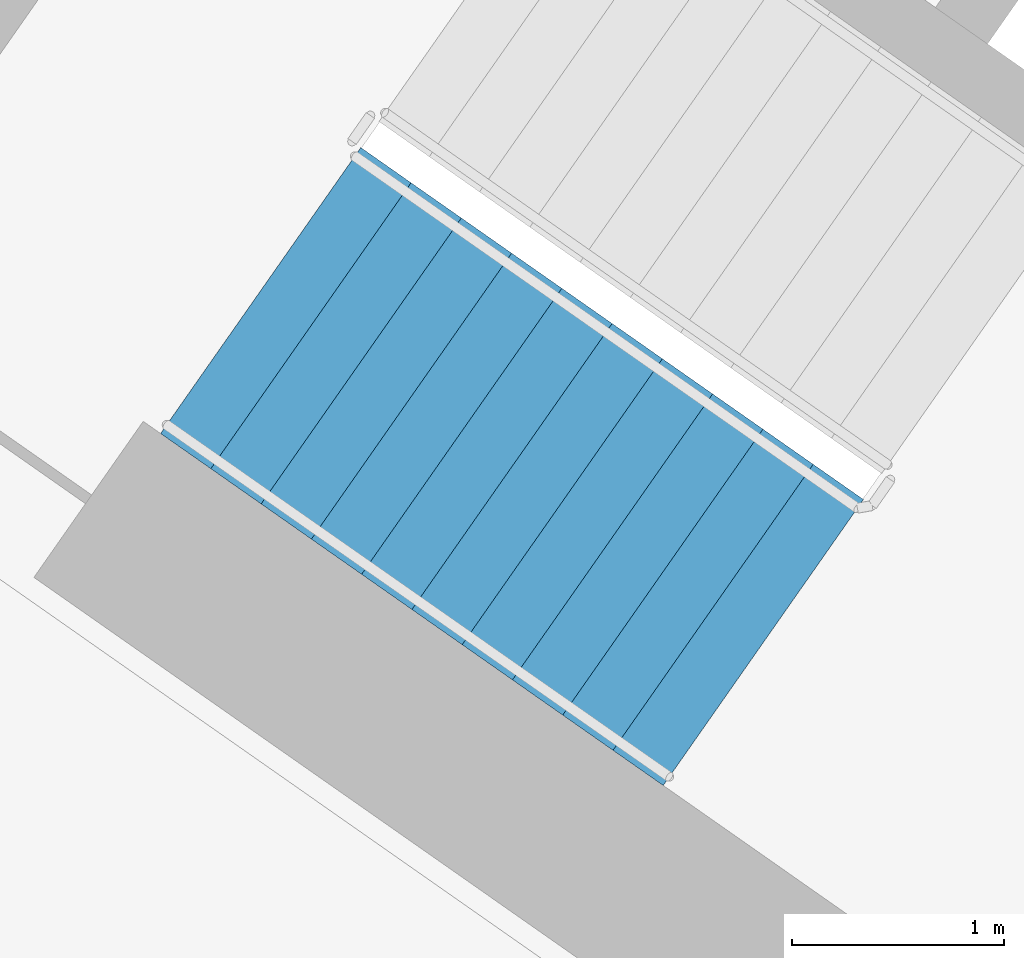
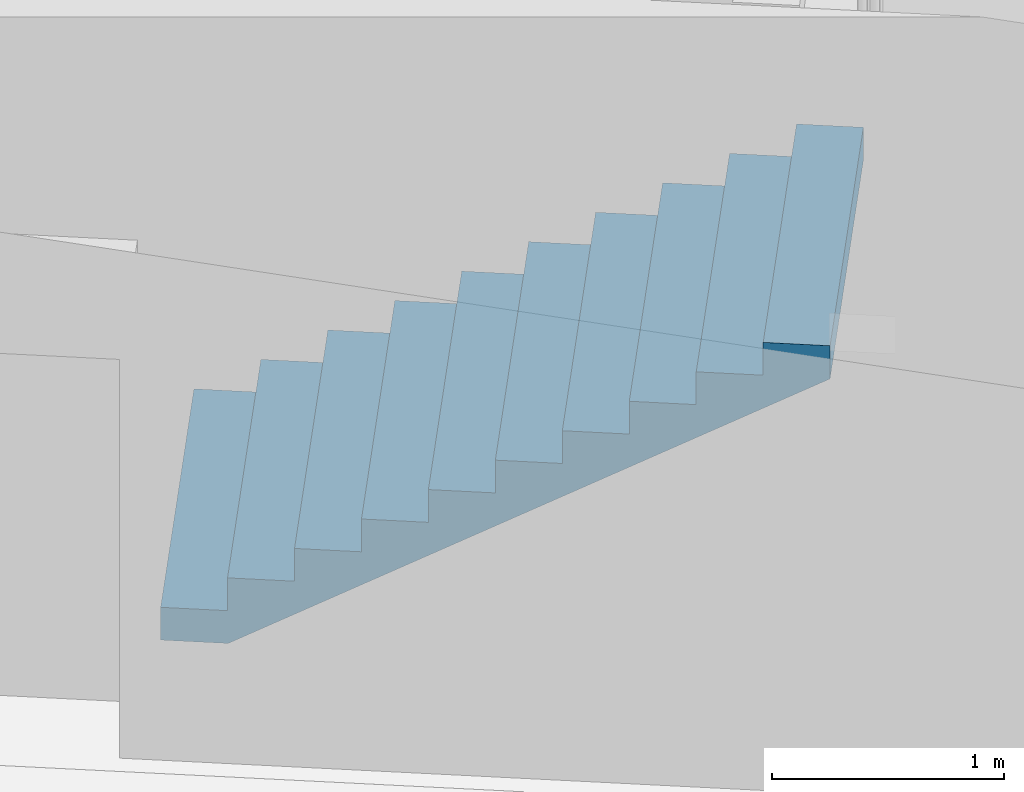
# One storey, part 10 of 33: 1 stair flight, 1 element without a shape of its own.
"""IFC4 building model written with IfcOpenShell, lengths in metres."""

import ifcopenshell
import ifcopenshell.guid

model = None  # the IFC model being written
_history = None  # IfcOwnerHistory: only IFC2X3 demands one
_inside = {}  # id of a spatial element -> (the spatial element, [elements in it])
_under = {}  # id of a project, library or spatial element -> (it, [spatial elements below it])
_declared = {}  # id of a project -> (the project, [libraries it declares])
_typed = {}  # id of a type object -> (the type object, [elements of that type])
_made_of = {}  # id of a material, layer set ... -> (it, [elements and type objects made of it])


def new_model(schema):
    """Start an empty IFC model of exactly this schema.

    Asked for "IFC4X3", IfcOpenShell would pick the latest addendum, in which some entities
    have other attributes; the version numbers below select the first issue.
    IFC2X3 requires an IfcOwnerHistory on every rooted entity: one is made here for all.
    """
    global model, _history
    if schema == "IFC4X3":
        model = ifcopenshell.file(schema_version=(4, 3, 0, 0))
    else:
        model = ifcopenshell.file(schema=schema)
    _inside.clear()
    _under.clear()
    _declared.clear()
    _typed.clear()
    _made_of.clear()
    _history = None
    if model.schema == "IFC2X3":
        org = make("IfcOrganization", Name="unknown")
        user = make(
            "IfcPersonAndOrganization",
            ThePerson=make("IfcPerson", FamilyName="unknown"),
            TheOrganization=org,
        )
        app = make(
            "IfcApplication",
            ApplicationDeveloper=org,
            Version="unknown",
            ApplicationFullName="unknown",
            ApplicationIdentifier="unknown",
        )
        _history = make(
            "IfcOwnerHistory",
            OwningUser=user,
            OwningApplication=app,
            ChangeAction="ADDED",
            CreationDate=0,
        )
    return model


def make(cls, **values):
    """One entity of the class cls with the attributes given. An attribute that is None is left unset."""
    return model.create_entity(
        cls, **{name: value for name, value in values.items() if value is not None}
    )


def rooted(cls, **values):
    """An entity with a GlobalId (a new one), such as an element, a storey or a relation."""
    return make(cls, GlobalId=ifcopenshell.guid.new(), OwnerHistory=_history, **values)


def si_unit(unit_type, name, prefix=None):
    """IfcSIUnit, for example si_unit("LENGTHUNIT", "METRE", prefix="MILLI")."""
    return make("IfcSIUnit", UnitType=unit_type, Prefix=prefix, Name=name)


def assignment(units):
    """IfcUnitAssignment: the units of a project."""
    return None if units is None else make("IfcUnitAssignment", Units=units)


def point(xyz):
    """IfcCartesianPoint."""
    return None if xyz is None else make("IfcCartesianPoint", Coordinates=xyz)


def direction(xyz):
    """IfcDirection."""
    return None if xyz is None else make("IfcDirection", DirectionRatios=xyz)


def frame(location, z_axis=None, x_axis=None):
    """IfcAxis2Placement3D, a coordinate frame: its origin and axes. An axis left out is left unset."""
    return make(
        "IfcAxis2Placement3D",
        Location=point(location),
        Axis=direction(z_axis),
        RefDirection=direction(x_axis),
    )


def origin():
    """The frame at (0, 0, 0) with its axes left unset."""
    return frame((0.0, 0.0, 0.0))


def place(relative_to, where):
    """IfcLocalPlacement: puts the frame where relative to a parent placement (None: the world)."""
    return make(
        "IfcLocalPlacement", PlacementRelTo=relative_to, RelativePlacement=where
    )


def context(
    kind, dimensions, precision=None, world=None, true_north=None, identifier=None
):
    """IfcGeometricRepresentationContext, for example the 3D "Model" context."""
    return make(
        "IfcGeometricRepresentationContext",
        ContextIdentifier=identifier,
        ContextType=kind,
        CoordinateSpaceDimension=dimensions,
        Precision=precision,
        WorldCoordinateSystem=world,
        TrueNorth=true_north,
    )


def subcontext(parent, identifier, kind, view, scale=None):
    """IfcGeometricRepresentationSubContext, for example "Body" below "Model"."""
    return make(
        "IfcGeometricRepresentationSubContext",
        ContextIdentifier=identifier,
        ContextType=kind,
        ParentContext=parent,
        TargetScale=scale,
        TargetView=view,
    )


def project(units=None, contexts=None):
    """IfcProject with its units and contexts."""
    return rooted(
        "IfcProject",
        Name="project",
        RepresentationContexts=contexts,
        UnitsInContext=assignment(units),
    )


def spatial(cls, under=None, at=None, **own):
    """A site, building, storey or space (cls), placed at a placement, below another one or the project."""
    s = rooted(cls, ObjectPlacement=at, **own)
    if under is not None:
        _under.setdefault(under.id(), (under, []))[1].append(s)
    return s


def faces_of(points, faces, orient=None, outer=None):
    """IfcFace entities. A face is a list of loops; a loop is a list of indices into points, from 0.

    orient and outer hold one flag for each loop. By default every Orientation is true, the
    first loop of a face is its IfcFaceOuterBound and the others are IfcFaceBound.
    """
    made = []
    for i, loops in enumerate(faces):
        bounds = []
        for j, loop in enumerate(loops):
            is_outer = j == 0 if outer is None else outer[i][j]
            bounds.append(
                make(
                    "IfcFaceOuterBound" if is_outer else "IfcFaceBound",
                    Bound=make("IfcPolyLoop", Polygon=[points[k] for k in loop]),
                    Orientation=True if orient is None else orient[i][j],
                )
            )
        made.append(make("IfcFace", Bounds=bounds))
    return made


def faceted_brep(points, faces, orient=None, outer=None, voids=None):
    """IfcFacetedBrep: a solid bounded by flat faces; with voids (closed shells), ...WithVoids."""
    shared = [point(p) for p in points]
    hull = make("IfcClosedShell", CfsFaces=faces_of(shared, faces, orient, outer))
    if voids is None:
        return make("IfcFacetedBrep", Outer=hull)
    return make(
        "IfcFacetedBrepWithVoids",
        Outer=hull,
        Voids=[
            make(cls, CfsFaces=faces_of(shared, fs, o, b)) for cls, fs, o, b in voids
        ],
    )


def shape(context_of_items, identifier, shape_type, items):
    """IfcShapeRepresentation: the items that make up one representation, for example the "Body"."""
    return make(
        "IfcShapeRepresentation",
        ContextOfItems=context_of_items,
        RepresentationIdentifier=identifier,
        RepresentationType=shape_type,
        Items=items,
    )


def material(Name=None, Category=None):
    """IfcMaterial."""
    return make("IfcMaterial", Name=Name, Category=Category)


def made_of(thing, what):
    """Note that an element or type object is made of a material, layer set ...; save() writes the relation."""
    if what is not None:
        _made_of.setdefault(what.id(), (what, []))[1].append(thing)
    return thing


def type_object(cls, material=None, **own):
    """A type object (cls), such as IfcWallType, which elements share."""
    return made_of(rooted(cls, **own), material)


def element(
    cls,
    number,
    at=None,
    inside=None,
    cuts=None,
    type_object=None,
    material=None,
    context=None,
    identifier="Body",
    shape_type=None,
    held_by="IfcProductDefinitionShape",
    body=None,
    shapes=None,
    **own,
):
    """One element of the class cls, such as IfcWall. Its Tag is "e" and its number.

    at: its placement. inside: the storey or other place that contains it. cuts: it is an
    opening in that element (IfcRelVoidsElement). A single representation is given by context,
    identifier, shape_type and body (its items); several are given by shapes. held_by: the class
    of the entity that holds the representations. save() writes the other relations.
    """
    e = rooted(cls, Tag="e%d" % number, ObjectPlacement=at, **own)
    if body is not None:
        shapes = [shape(context, identifier, shape_type, body)]
    if shapes is not None:
        e.Representation = make(held_by, Representations=shapes)
    if inside is not None:
        _inside.setdefault(inside.id(), (inside, []))[1].append(e)
    if cuts is not None:
        rooted(
            "IfcRelVoidsElement", RelatingBuildingElement=cuts, RelatedOpeningElement=e
        )
    if type_object is not None:
        _typed.setdefault(type_object.id(), (type_object, []))[1].append(e)
    return made_of(e, material)


def aggregate(whole, parts):
    """IfcRelAggregates: a whole, such as a stair, and the parts it consists of."""
    return rooted("IfcRelAggregates", RelatingObject=whole, RelatedObjects=parts)


def save(model, path):
    """Write the relations noted so far, then the file.

    IfcRelAggregates (storeys below a building ...), IfcRelContainedInSpatialStructure (elements
    in a storey), IfcRelDefinesByType, IfcRelAssociatesMaterial and IfcRelDeclares: one each for
    every whole, place, type object, material and project.
    """
    for whole, parts in _under.values():
        aggregate(whole, parts)
    for where, things in _inside.values():
        rooted(
            "IfcRelContainedInSpatialStructure",
            RelatedElements=things,
            RelatingStructure=where,
        )
    for kind, things in _typed.values():
        rooted("IfcRelDefinesByType", RelatedObjects=things, RelatingType=kind)
    for what, things in _made_of.values():
        rooted("IfcRelAssociatesMaterial", RelatedObjects=things, RelatingMaterial=what)
    for by, libraries in _declared.values():
        rooted("IfcRelDeclares", RelatingContext=by, RelatedDefinitions=libraries)
    model.write(path)


model = new_model("IFC4")

# Units and contexts
model_context = context("Model", 3, precision=1e-05, world=origin(), true_north=direction((0.0, 1.0)))
body_context = subcontext(model_context, "Body", "Model", "MODEL_VIEW")
ifc_project = project(units=[si_unit("LENGTHUNIT", "METRE"), si_unit("AREAUNIT", "SQUARE_METRE"), si_unit("VOLUMEUNIT", "CUBIC_METRE"), si_unit("PLANEANGLEUNIT", "RADIAN"), si_unit("MASSUNIT", "GRAM", prefix="KILO")], contexts=[model_context])

# Site, building, storey
site_placement = place(None, origin())
site = spatial("IfcSite", under=ifc_project, at=site_placement, CompositionType="ELEMENT")
building_placement = place(site_placement, origin())
building = spatial("IfcBuilding", under=site, at=building_placement, Name="Qamariyya Broadcast Tower", CompositionType="ELEMENT")
storey_placement = place(building_placement, frame((0.0, 0.0, 94.89990234375)))
storey = spatial("IfcBuildingStorey", under=building, at=storey_placement, Name="L20", CompositionType="ELEMENT", Elevation=94.89990234375)

# Stair, stair flight
ifc_material = material(Name="Concrete C50/60", Category="concrete")
stair_type = type_object("IfcStairType", Name="Exit stair 22 risers of 173 mm", PredefinedType="HALF_TURN_STAIR", material=ifc_material)
stair_placement = place(storey_placement, origin())
stair = element("IfcStair", 1, at=stair_placement, inside=storey, type_object=stair_type, Name="L20 Stair W1", PredefinedType="HALF_TURN_STAIR")
stair_flight_type = type_object("IfcStairFlightType", Name="Exit stair flight 11 risers of 173 mm", PredefinedType="STRAIGHT", material=ifc_material)
stair_flight_placement = place(storey_placement, frame((-47.06884765625, -56.982666015625, 0.0), z_axis=(0.0, 0.0, 1.0), x_axis=(0.819152044289, -0.573576436351, 0.0)))
stair_flight = element("IfcStairFlight", 2, at=stair_flight_placement, type_object=stair_flight_type, Name="ST-W1 flight 1", NumberOfRisers=11, NumberOfTreads=10, PredefinedType="STRAIGHT", RiserHeight=0.172727273, TreadLength=0.29, context=body_context, shape_type="Brep", body=[
    faceted_brep([(0.0, 0.824951171875, 0.0), (0.0, 0.824951171875, 0.172607421875), (0.2900390625, 0.824951171875, 0.172607421875), (0.2900390625, 0.824951171875, 0.345458984375), (0.580078125, 0.824951171875, 0.345458984375), (0.580078125, 0.824951171875, 0.51806640625), (0.8701171875, 0.824951171875, 0.51806640625), (0.8701171875, 0.824951171875, 0.69091796875), (1.159912109375, 0.824951171875, 0.69091796875), (1.159912109375, 0.824951171875, 0.863525390625), (1.449951171875, 0.824951171875, 0.863525390625), (1.449951171875, 0.824951171875, 1.036376953125), (1.739990234375, 0.824951171875, 1.036376953125), (1.739990234375, 0.824951171875, 1.208984375), (2.030029296875, 0.824951171875, 1.208984375), (2.030029296875, 0.824951171875, 1.3818359375), (2.320068359375, 0.824951171875, 1.3818359375), (2.320068359375, 0.824951171875, 1.554443359375), (2.610107421875, 0.824951171875, 1.554443359375), (2.610107421875, 0.824951171875, 1.727294921875), (2.89990234375, 0.824951171875, 1.727294921875), (2.89990234375, 0.824951171875, 1.552734375), (0.29296875, 0.824951171875, 0.0), (0.29296875, -0.824951171875, 0.0), (2.89990234375, -0.824951171875, 1.552734375), (2.89990234375, -0.824951171875, 1.727294921875), (2.610107421875, -0.824951171875, 1.727294921875), (2.610107421875, -0.824951171875, 1.554443359375), (2.320068359375, -0.824951171875, 1.554443359375), (2.320068359375, -0.824951171875, 1.3818359375), (2.030029296875, -0.824951171875, 1.3818359375), (2.030029296875, -0.824951171875, 1.208984375), (1.739990234375, -0.824951171875, 1.208984375), (1.739990234375, -0.824951171875, 1.036376953125), (1.449951171875, -0.824951171875, 1.036376953125), (1.449951171875, -0.824951171875, 0.863525390625), (1.159912109375, -0.824951171875, 0.863525390625), (1.159912109375, -0.824951171875, 0.69091796875), (0.8701171875, -0.824951171875, 0.69091796875), (0.8701171875, -0.824951171875, 0.51806640625), (0.580078125, -0.824951171875, 0.51806640625), (0.580078125, -0.824951171875, 0.345458984375), (0.2900390625, -0.824951171875, 0.345458984375), (0.2900390625, -0.824951171875, 0.172607421875), (0.0, -0.824951171875, 0.172607421875), (0.0, -0.824951171875, 0.0), (0.0, 0.10009765625, 0.0), (0.0, 0.086669921875, 0.0), (0.0, 0.0732421875, 0.0), (0.0, 0.06005859375, 0.0), (0.0, 0.046630859375, 0.0), (0.0, 0.033447265625, 0.0), (0.0, 0.02001953125, 0.0), (0.0, 0.006591796875, 0.0), (0.0, -0.006591796875, 0.0), (0.0, -0.02001953125, 0.0), (0.0, -0.033447265625, 0.0), (0.0, -0.046630859375, 0.0), (0.0, -0.06005859375, 0.0), (0.0, -0.0732421875, 0.0), (0.0, -0.086669921875, 0.0), (0.0, -0.10009765625, 0.0), (0.0, -0.10009765625, 0.172607421875), (0.0, -0.086669921875, 0.172607421875), (0.0, -0.0732421875, 0.172607421875), (0.0, -0.06005859375, 0.172607421875), (0.0, -0.046630859375, 0.172607421875), (0.0, -0.033447265625, 0.172607421875), (0.0, -0.02001953125, 0.172607421875), (0.0, -0.006591796875, 0.172607421875), (0.0, 0.006591796875, 0.172607421875), (0.0, 0.02001953125, 0.172607421875), (0.0, 0.033447265625, 0.172607421875), (0.0, 0.046630859375, 0.172607421875), (0.0, 0.06005859375, 0.172607421875), (0.0, 0.0732421875, 0.172607421875), (0.0, 0.086669921875, 0.172607421875), (0.0, 0.10009765625, 0.172607421875), (0.2900390625, -0.10009765625, 0.172607421875), (0.2900390625, -0.086669921875, 0.172607421875), (0.2900390625, -0.0732421875, 0.172607421875), (0.2900390625, -0.06005859375, 0.172607421875), (0.2900390625, -0.046630859375, 0.172607421875), (0.2900390625, -0.033447265625, 0.172607421875), (0.2900390625, -0.02001953125, 0.172607421875), (0.2900390625, -0.006591796875, 0.172607421875), (0.2900390625, 0.006591796875, 0.172607421875), (0.2900390625, 0.02001953125, 0.172607421875), (0.2900390625, 0.033447265625, 0.172607421875), (0.2900390625, 0.046630859375, 0.172607421875), (0.2900390625, 0.06005859375, 0.172607421875), (0.2900390625, 0.0732421875, 0.172607421875), (0.2900390625, 0.086669921875, 0.172607421875), (0.2900390625, 0.10009765625, 0.172607421875), (0.2900390625, -0.10009765625, 0.345458984375), (0.2900390625, -0.086669921875, 0.345458984375), (0.2900390625, -0.0732421875, 0.345458984375), (0.2900390625, -0.06005859375, 0.345458984375), (0.2900390625, -0.046630859375, 0.345458984375), (0.2900390625, -0.033447265625, 0.345458984375), (0.2900390625, -0.02001953125, 0.345458984375), (0.2900390625, -0.006591796875, 0.345458984375), (0.2900390625, 0.006591796875, 0.345458984375), (0.2900390625, 0.02001953125, 0.345458984375), (0.2900390625, 0.033447265625, 0.345458984375), (0.2900390625, 0.046630859375, 0.345458984375), (0.2900390625, 0.06005859375, 0.345458984375), (0.2900390625, 0.0732421875, 0.345458984375), (0.2900390625, 0.086669921875, 0.345458984375), (0.2900390625, 0.10009765625, 0.345458984375), (0.580078125, -0.10009765625, 0.345458984375), (0.580078125, -0.086669921875, 0.345458984375), (0.580078125, -0.0732421875, 0.345458984375), (0.580078125, -0.06005859375, 0.345458984375), (0.580078125, -0.046630859375, 0.345458984375), (0.580078125, -0.033447265625, 0.345458984375), (0.580078125, -0.02001953125, 0.345458984375), (0.580078125, -0.006591796875, 0.345458984375), (0.580078125, 0.006591796875, 0.345458984375), (0.580078125, 0.02001953125, 0.345458984375), (0.580078125, 0.033447265625, 0.345458984375), (0.580078125, 0.046630859375, 0.345458984375), (0.580078125, 0.06005859375, 0.345458984375), (0.580078125, 0.0732421875, 0.345458984375), (0.580078125, 0.086669921875, 0.345458984375), (0.580078125, 0.10009765625, 0.345458984375), (0.580078125, -0.10009765625, 0.51806640625), (0.580078125, -0.086669921875, 0.51806640625), (0.580078125, -0.0732421875, 0.51806640625), (0.580078125, -0.06005859375, 0.51806640625), (0.580078125, -0.046630859375, 0.51806640625), (0.580078125, -0.033447265625, 0.51806640625), (0.580078125, -0.02001953125, 0.51806640625), (0.580078125, -0.006591796875, 0.51806640625), (0.580078125, 0.006591796875, 0.51806640625), (0.580078125, 0.02001953125, 0.51806640625), (0.580078125, 0.033447265625, 0.51806640625), (0.580078125, 0.046630859375, 0.51806640625), (0.580078125, 0.06005859375, 0.51806640625), (0.580078125, 0.0732421875, 0.51806640625), (0.580078125, 0.086669921875, 0.51806640625), (0.580078125, 0.10009765625, 0.51806640625), (0.8701171875, -0.10009765625, 0.51806640625), (0.8701171875, -0.086669921875, 0.51806640625), (0.8701171875, -0.0732421875, 0.51806640625), (0.8701171875, -0.06005859375, 0.51806640625), (0.8701171875, -0.046630859375, 0.51806640625), (0.8701171875, -0.033447265625, 0.51806640625), (0.8701171875, -0.02001953125, 0.51806640625), (0.8701171875, -0.006591796875, 0.51806640625), (0.8701171875, 0.006591796875, 0.51806640625), (0.8701171875, 0.02001953125, 0.51806640625), (0.8701171875, 0.033447265625, 0.51806640625), (0.8701171875, 0.046630859375, 0.51806640625), (0.8701171875, 0.06005859375, 0.51806640625), (0.8701171875, 0.0732421875, 0.51806640625), (0.8701171875, 0.086669921875, 0.51806640625), (0.8701171875, 0.10009765625, 0.51806640625), (0.8701171875, -0.10009765625, 0.69091796875), (0.8701171875, -0.086669921875, 0.69091796875), (0.8701171875, -0.0732421875, 0.69091796875), (0.8701171875, -0.06005859375, 0.69091796875), (0.8701171875, -0.046630859375, 0.69091796875), (0.8701171875, -0.033447265625, 0.69091796875), (0.8701171875, -0.02001953125, 0.69091796875), (0.8701171875, -0.006591796875, 0.69091796875), (0.8701171875, 0.006591796875, 0.69091796875), (0.8701171875, 0.02001953125, 0.69091796875), (0.8701171875, 0.033447265625, 0.69091796875), (0.8701171875, 0.046630859375, 0.69091796875), (0.8701171875, 0.06005859375, 0.69091796875), (0.8701171875, 0.0732421875, 0.69091796875), (0.8701171875, 0.086669921875, 0.69091796875), (0.8701171875, 0.10009765625, 0.69091796875), (1.159912109375, -0.10009765625, 0.69091796875), (1.159912109375, -0.086669921875, 0.69091796875), (1.159912109375, -0.0732421875, 0.69091796875), (1.159912109375, -0.06005859375, 0.69091796875), (1.159912109375, -0.046630859375, 0.69091796875), (1.159912109375, -0.033447265625, 0.69091796875), (1.159912109375, -0.02001953125, 0.69091796875), (1.159912109375, -0.006591796875, 0.69091796875), (1.159912109375, 0.006591796875, 0.69091796875), (1.159912109375, 0.02001953125, 0.69091796875), (1.159912109375, 0.033447265625, 0.69091796875), (1.159912109375, 0.046630859375, 0.69091796875), (1.159912109375, 0.06005859375, 0.69091796875), (1.159912109375, 0.0732421875, 0.69091796875), (1.159912109375, 0.086669921875, 0.69091796875), (1.159912109375, 0.10009765625, 0.69091796875), (1.159912109375, -0.10009765625, 0.863525390625), (1.159912109375, -0.086669921875, 0.863525390625), (1.159912109375, -0.0732421875, 0.863525390625), (1.159912109375, -0.06005859375, 0.863525390625), (1.159912109375, -0.046630859375, 0.863525390625), (1.159912109375, -0.033447265625, 0.863525390625), (1.159912109375, -0.02001953125, 0.863525390625), (1.159912109375, -0.006591796875, 0.863525390625), (1.159912109375, 0.006591796875, 0.863525390625), (1.159912109375, 0.02001953125, 0.863525390625), (1.159912109375, 0.033447265625, 0.863525390625), (1.159912109375, 0.046630859375, 0.863525390625), (1.159912109375, 0.06005859375, 0.863525390625), (1.159912109375, 0.0732421875, 0.863525390625), (1.159912109375, 0.086669921875, 0.863525390625), (1.159912109375, 0.10009765625, 0.863525390625), (1.449951171875, -0.10009765625, 0.863525390625), (1.449951171875, -0.086669921875, 0.863525390625), (1.449951171875, -0.0732421875, 0.863525390625), (1.449951171875, -0.06005859375, 0.863525390625), (1.449951171875, -0.046630859375, 0.863525390625), (1.449951171875, -0.033447265625, 0.863525390625), (1.449951171875, -0.02001953125, 0.863525390625), (1.449951171875, -0.006591796875, 0.863525390625), (1.449951171875, 0.006591796875, 0.863525390625), (1.449951171875, 0.02001953125, 0.863525390625), (1.449951171875, 0.033447265625, 0.863525390625), (1.449951171875, 0.046630859375, 0.863525390625), (1.449951171875, 0.06005859375, 0.863525390625), (1.449951171875, 0.0732421875, 0.863525390625), (1.449951171875, 0.086669921875, 0.863525390625), (1.449951171875, 0.10009765625, 0.863525390625), (1.449951171875, -0.10009765625, 1.036376953125), (1.449951171875, -0.086669921875, 1.036376953125), (1.449951171875, -0.0732421875, 1.036376953125), (1.449951171875, -0.06005859375, 1.036376953125), (1.449951171875, -0.046630859375, 1.036376953125), (1.449951171875, -0.033447265625, 1.036376953125), (1.449951171875, -0.02001953125, 1.036376953125), (1.449951171875, -0.006591796875, 1.036376953125), (1.449951171875, 0.006591796875, 1.036376953125), (1.449951171875, 0.02001953125, 1.036376953125), (1.449951171875, 0.033447265625, 1.036376953125), (1.449951171875, 0.046630859375, 1.036376953125), (1.449951171875, 0.06005859375, 1.036376953125), (1.449951171875, 0.0732421875, 1.036376953125), (1.449951171875, 0.086669921875, 1.036376953125), (1.449951171875, 0.10009765625, 1.036376953125), (1.739990234375, -0.10009765625, 1.036376953125), (1.739990234375, -0.086669921875, 1.036376953125), (1.739990234375, -0.0732421875, 1.036376953125), (1.739990234375, -0.06005859375, 1.036376953125), (1.739990234375, -0.046630859375, 1.036376953125), (1.739990234375, -0.033447265625, 1.036376953125), (1.739990234375, -0.02001953125, 1.036376953125), (1.739990234375, -0.006591796875, 1.036376953125), (1.739990234375, 0.006591796875, 1.036376953125), (1.739990234375, 0.02001953125, 1.036376953125), (1.739990234375, 0.033447265625, 1.036376953125), (1.739990234375, 0.046630859375, 1.036376953125), (1.739990234375, 0.06005859375, 1.036376953125), (1.739990234375, 0.0732421875, 1.036376953125), (1.739990234375, 0.086669921875, 1.036376953125), (1.739990234375, 0.10009765625, 1.036376953125), (1.739990234375, -0.10009765625, 1.208984375), (1.739990234375, -0.086669921875, 1.208984375), (1.739990234375, -0.0732421875, 1.208984375), (1.739990234375, -0.06005859375, 1.208984375), (1.739990234375, -0.046630859375, 1.208984375), (1.739990234375, -0.033447265625, 1.208984375), (1.739990234375, -0.02001953125, 1.208984375), (1.739990234375, -0.006591796875, 1.208984375), (1.739990234375, 0.006591796875, 1.208984375), (1.739990234375, 0.02001953125, 1.208984375), (1.739990234375, 0.033447265625, 1.208984375), (1.739990234375, 0.046630859375, 1.208984375), (1.739990234375, 0.06005859375, 1.208984375), (1.739990234375, 0.0732421875, 1.208984375), (1.739990234375, 0.086669921875, 1.208984375), (1.739990234375, 0.10009765625, 1.208984375), (2.030029296875, -0.10009765625, 1.208984375), (2.030029296875, -0.086669921875, 1.208984375), (2.030029296875, -0.0732421875, 1.208984375), (2.030029296875, -0.06005859375, 1.208984375), (2.030029296875, -0.046630859375, 1.208984375), (2.030029296875, -0.033447265625, 1.208984375), (2.030029296875, -0.02001953125, 1.208984375), (2.030029296875, -0.006591796875, 1.208984375), (2.030029296875, 0.006591796875, 1.208984375), (2.030029296875, 0.02001953125, 1.208984375), (2.030029296875, 0.033447265625, 1.208984375), (2.030029296875, 0.046630859375, 1.208984375), (2.030029296875, 0.06005859375, 1.208984375), (2.030029296875, 0.0732421875, 1.208984375), (2.030029296875, 0.086669921875, 1.208984375), (2.030029296875, 0.10009765625, 1.208984375), (2.030029296875, -0.10009765625, 1.3818359375), (2.030029296875, -0.086669921875, 1.3818359375), (2.030029296875, -0.0732421875, 1.3818359375), (2.030029296875, -0.06005859375, 1.3818359375), (2.030029296875, -0.046630859375, 1.3818359375), (2.030029296875, -0.033447265625, 1.3818359375), (2.030029296875, -0.02001953125, 1.3818359375), (2.030029296875, -0.006591796875, 1.3818359375), (2.030029296875, 0.006591796875, 1.3818359375), (2.030029296875, 0.02001953125, 1.3818359375), (2.030029296875, 0.033447265625, 1.3818359375), (2.030029296875, 0.046630859375, 1.3818359375), (2.030029296875, 0.06005859375, 1.3818359375), (2.030029296875, 0.0732421875, 1.3818359375), (2.030029296875, 0.086669921875, 1.3818359375), (2.030029296875, 0.10009765625, 1.3818359375), (2.320068359375, -0.10009765625, 1.3818359375), (2.320068359375, -0.086669921875, 1.3818359375), (2.320068359375, -0.0732421875, 1.3818359375), (2.320068359375, -0.06005859375, 1.3818359375), (2.320068359375, -0.046630859375, 1.3818359375), (2.320068359375, -0.033447265625, 1.3818359375), (2.320068359375, -0.02001953125, 1.3818359375), (2.320068359375, -0.006591796875, 1.3818359375), (2.320068359375, 0.006591796875, 1.3818359375), (2.320068359375, 0.02001953125, 1.3818359375), (2.320068359375, 0.033447265625, 1.3818359375), (2.320068359375, 0.046630859375, 1.3818359375), (2.320068359375, 0.06005859375, 1.3818359375), (2.320068359375, 0.0732421875, 1.3818359375), (2.320068359375, 0.086669921875, 1.3818359375), (2.320068359375, 0.10009765625, 1.3818359375), (2.320068359375, -0.10009765625, 1.554443359375), (2.320068359375, -0.086669921875, 1.554443359375), (2.320068359375, -0.0732421875, 1.554443359375), (2.320068359375, -0.06005859375, 1.554443359375), (2.320068359375, -0.046630859375, 1.554443359375), (2.320068359375, -0.033447265625, 1.554443359375), (2.320068359375, -0.02001953125, 1.554443359375), (2.320068359375, -0.006591796875, 1.554443359375), (2.320068359375, 0.006591796875, 1.554443359375), (2.320068359375, 0.02001953125, 1.554443359375), (2.320068359375, 0.033447265625, 1.554443359375), (2.320068359375, 0.046630859375, 1.554443359375), (2.320068359375, 0.06005859375, 1.554443359375), (2.320068359375, 0.0732421875, 1.554443359375), (2.320068359375, 0.086669921875, 1.554443359375), (2.320068359375, 0.10009765625, 1.554443359375), (2.610107421875, -0.10009765625, 1.554443359375), (2.610107421875, -0.086669921875, 1.554443359375), (2.610107421875, -0.0732421875, 1.554443359375), (2.610107421875, -0.06005859375, 1.554443359375), (2.610107421875, -0.046630859375, 1.554443359375), (2.610107421875, -0.033447265625, 1.554443359375), (2.610107421875, -0.02001953125, 1.554443359375), (2.610107421875, -0.006591796875, 1.554443359375), (2.610107421875, 0.006591796875, 1.554443359375), (2.610107421875, 0.02001953125, 1.554443359375), (2.610107421875, 0.033447265625, 1.554443359375), (2.610107421875, 0.046630859375, 1.554443359375), (2.610107421875, 0.06005859375, 1.554443359375), (2.610107421875, 0.0732421875, 1.554443359375), (2.610107421875, 0.086669921875, 1.554443359375), (2.610107421875, 0.10009765625, 1.554443359375), (2.610107421875, -0.10009765625, 1.727294921875), (2.610107421875, -0.086669921875, 1.727294921875), (2.610107421875, -0.0732421875, 1.727294921875), (2.610107421875, -0.06005859375, 1.727294921875), (2.610107421875, -0.046630859375, 1.727294921875), (2.610107421875, -0.033447265625, 1.727294921875), (2.610107421875, -0.02001953125, 1.727294921875), (2.610107421875, -0.006591796875, 1.727294921875), (2.610107421875, 0.006591796875, 1.727294921875), (2.610107421875, 0.02001953125, 1.727294921875), (2.610107421875, 0.033447265625, 1.727294921875), (2.610107421875, 0.046630859375, 1.727294921875), (2.610107421875, 0.06005859375, 1.727294921875), (2.610107421875, 0.0732421875, 1.727294921875), (2.610107421875, 0.086669921875, 1.727294921875), (2.610107421875, 0.10009765625, 1.727294921875), (2.89990234375, -0.10009765625, 1.727294921875), (2.89990234375, -0.086669921875, 1.727294921875), (2.89990234375, -0.0732421875, 1.727294921875), (2.89990234375, -0.06005859375, 1.727294921875), (2.89990234375, -0.046630859375, 1.727294921875), (2.89990234375, -0.033447265625, 1.727294921875), (2.89990234375, -0.02001953125, 1.727294921875), (2.89990234375, -0.006591796875, 1.727294921875), (2.89990234375, 0.006591796875, 1.727294921875), (2.89990234375, 0.02001953125, 1.727294921875), (2.89990234375, 0.033447265625, 1.727294921875), (2.89990234375, 0.046630859375, 1.727294921875), (2.89990234375, 0.06005859375, 1.727294921875), (2.89990234375, 0.0732421875, 1.727294921875), (2.89990234375, 0.086669921875, 1.727294921875), (2.89990234375, 0.10009765625, 1.727294921875), (2.89990234375, -0.10009765625, 1.552734375), (2.89990234375, -0.086669921875, 1.552734375), (2.89990234375, -0.0732421875, 1.552734375), (2.89990234375, -0.06005859375, 1.552734375), (2.89990234375, -0.046630859375, 1.552734375), (2.89990234375, -0.033447265625, 1.552734375), (2.89990234375, -0.02001953125, 1.552734375), (2.89990234375, -0.006591796875, 1.552734375), (2.89990234375, 0.006591796875, 1.552734375), (2.89990234375, 0.02001953125, 1.552734375), (2.89990234375, 0.033447265625, 1.552734375), (2.89990234375, 0.046630859375, 1.552734375), (2.89990234375, 0.06005859375, 1.552734375), (2.89990234375, 0.0732421875, 1.552734375), (2.89990234375, 0.086669921875, 1.552734375), (2.89990234375, 0.10009765625, 1.552734375), (0.29296875, -0.10009765625, 0.0), (0.29296875, -0.086669921875, 0.0), (0.29296875, -0.0732421875, 0.0), (0.29296875, -0.06005859375, 0.0), (0.29296875, -0.046630859375, 0.0), (0.29296875, -0.033447265625, 0.0), (0.29296875, -0.02001953125, 0.0), (0.29296875, -0.006591796875, 0.0), (0.29296875, 0.006591796875, 0.0), (0.29296875, 0.02001953125, 0.0), (0.29296875, 0.033447265625, 0.0), (0.29296875, 0.046630859375, 0.0), (0.29296875, 0.06005859375, 0.0), (0.29296875, 0.0732421875, 0.0), (0.29296875, 0.086669921875, 0.0), (0.29296875, 0.10009765625, 0.0)], [[[0, 1, 2, 3, 4, 5, 6, 7, 8, 9, 10, 11, 12, 13, 14, 15, 16, 17, 18, 19, 20, 21, 22]], [[23, 24, 25, 26, 27, 28, 29, 30, 31, 32, 33, 34, 35, 36, 37, 38, 39, 40, 41, 42, 43, 44, 45]], [[0, 46, 47, 48, 49, 50, 51, 52, 53, 54, 55, 56, 57, 58, 59, 60, 61, 45, 44, 62, 63, 64, 65, 66, 67, 68, 69, 70, 71, 72, 73, 74, 75, 76, 77, 1]], [[1, 77, 76, 75, 74, 73, 72, 71, 70, 69, 68, 67, 66, 65, 64, 63, 62, 44, 43, 78, 79, 80, 81, 82, 83, 84, 85, 86, 87, 88, 89, 90, 91, 92, 93, 2]], [[2, 93, 92, 91, 90, 89, 88, 87, 86, 85, 84, 83, 82, 81, 80, 79, 78, 43, 42, 94, 95, 96, 97, 98, 99, 100, 101, 102, 103, 104, 105, 106, 107, 108, 109, 3]], [[3, 109, 108, 107, 106, 105, 104, 103, 102, 101, 100, 99, 98, 97, 96, 95, 94, 42, 41, 110, 111, 112, 113, 114, 115, 116, 117, 118, 119, 120, 121, 122, 123, 124, 125, 4]], [[4, 125, 124, 123, 122, 121, 120, 119, 118, 117, 116, 115, 114, 113, 112, 111, 110, 41, 40, 126, 127, 128, 129, 130, 131, 132, 133, 134, 135, 136, 137, 138, 139, 140, 141, 5]], [[5, 141, 140, 139, 138, 137, 136, 135, 134, 133, 132, 131, 130, 129, 128, 127, 126, 40, 39, 142, 143, 144, 145, 146, 147, 148, 149, 150, 151, 152, 153, 154, 155, 156, 157, 6]], [[6, 157, 156, 155, 154, 153, 152, 151, 150, 149, 148, 147, 146, 145, 144, 143, 142, 39, 38, 158, 159, 160, 161, 162, 163, 164, 165, 166, 167, 168, 169, 170, 171, 172, 173, 7]], [[7, 173, 172, 171, 170, 169, 168, 167, 166, 165, 164, 163, 162, 161, 160, 159, 158, 38, 37, 174, 175, 176, 177, 178, 179, 180, 181, 182, 183, 184, 185, 186, 187, 188, 189, 8]], [[8, 189, 188, 187, 186, 185, 184, 183, 182, 181, 180, 179, 178, 177, 176, 175, 174, 37, 36, 190, 191, 192, 193, 194, 195, 196, 197, 198, 199, 200, 201, 202, 203, 204, 205, 9]], [[9, 205, 204, 203, 202, 201, 200, 199, 198, 197, 196, 195, 194, 193, 192, 191, 190, 36, 35, 206, 207, 208, 209, 210, 211, 212, 213, 214, 215, 216, 217, 218, 219, 220, 221, 10]], [[10, 221, 220, 219, 218, 217, 216, 215, 214, 213, 212, 211, 210, 209, 208, 207, 206, 35, 34, 222, 223, 224, 225, 226, 227, 228, 229, 230, 231, 232, 233, 234, 235, 236, 237, 11]], [[11, 237, 236, 235, 234, 233, 232, 231, 230, 229, 228, 227, 226, 225, 224, 223, 222, 34, 33, 238, 239, 240, 241, 242, 243, 244, 245, 246, 247, 248, 249, 250, 251, 252, 253, 12]], [[12, 253, 252, 251, 250, 249, 248, 247, 246, 245, 244, 243, 242, 241, 240, 239, 238, 33, 32, 254, 255, 256, 257, 258, 259, 260, 261, 262, 263, 264, 265, 266, 267, 268, 269, 13]], [[13, 269, 268, 267, 266, 265, 264, 263, 262, 261, 260, 259, 258, 257, 256, 255, 254, 32, 31, 270, 271, 272, 273, 274, 275, 276, 277, 278, 279, 280, 281, 282, 283, 284, 285, 14]], [[14, 285, 284, 283, 282, 281, 280, 279, 278, 277, 276, 275, 274, 273, 272, 271, 270, 31, 30, 286, 287, 288, 289, 290, 291, 292, 293, 294, 295, 296, 297, 298, 299, 300, 301, 15]], [[15, 301, 300, 299, 298, 297, 296, 295, 294, 293, 292, 291, 290, 289, 288, 287, 286, 30, 29, 302, 303, 304, 305, 306, 307, 308, 309, 310, 311, 312, 313, 314, 315, 316, 317, 16]], [[16, 317, 316, 315, 314, 313, 312, 311, 310, 309, 308, 307, 306, 305, 304, 303, 302, 29, 28, 318, 319, 320, 321, 322, 323, 324, 325, 326, 327, 328, 329, 330, 331, 332, 333, 17]], [[17, 333, 332, 331, 330, 329, 328, 327, 326, 325, 324, 323, 322, 321, 320, 319, 318, 28, 27, 334, 335, 336, 337, 338, 339, 340, 341, 342, 343, 344, 345, 346, 347, 348, 349, 18]], [[18, 349, 348, 347, 346, 345, 344, 343, 342, 341, 340, 339, 338, 337, 336, 335, 334, 27, 26, 350, 351, 352, 353, 354, 355, 356, 357, 358, 359, 360, 361, 362, 363, 364, 365, 19]], [[19, 365, 364, 363, 362, 361, 360, 359, 358, 357, 356, 355, 354, 353, 352, 351, 350, 26, 25, 366, 367, 368, 369, 370, 371, 372, 373, 374, 375, 376, 377, 378, 379, 380, 381, 20]], [[20, 381, 380, 379, 378, 377, 376, 375, 374, 373, 372, 371, 370, 369, 368, 367, 366, 25, 24, 382, 383, 384, 385, 386, 387, 388, 389, 390, 391, 392, 393, 394, 395, 396, 397, 21]], [[21, 397, 396, 395, 394, 393, 392, 391, 390, 389, 388, 387, 386, 385, 384, 383, 382, 24, 23, 398, 399, 400, 401, 402, 403, 404, 405, 406, 407, 408, 409, 410, 411, 412, 413, 22]], [[22, 413, 412, 411, 410, 409, 408, 407, 406, 405, 404, 403, 402, 401, 400, 399, 398, 23, 45, 61, 60, 59, 58, 57, 56, 55, 54, 53, 52, 51, 50, 49, 48, 47, 46, 0]]]),
])
aggregate(stair, [stair_flight])

save(model, "model.ifc")
